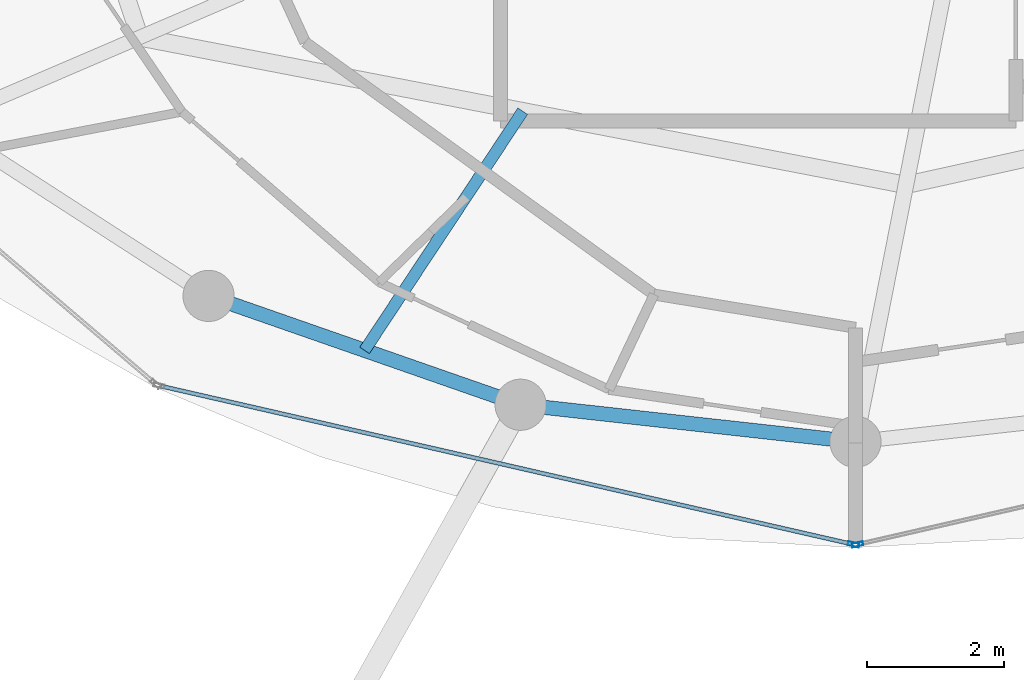
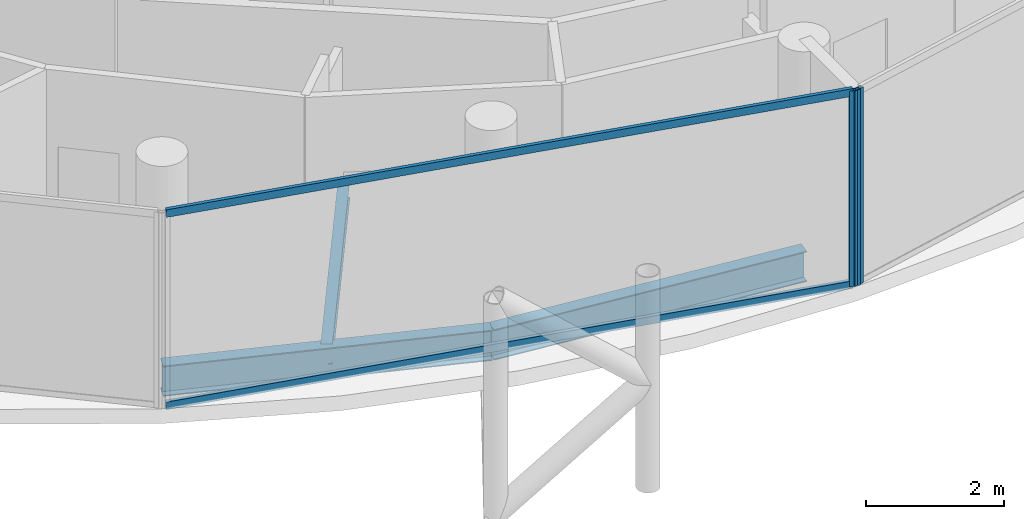
# One storey, part 4 of 24: 4 members, 3 beams, 2 elements without a shape of their own.
"""IFC4 building model written with IfcOpenShell, lengths in metres."""

from ifc_helpers import new_model, si_unit, direction, frame, origin, origin_2d, place, context, subcontext, project, spatial, hollow_rectangle, i_section, extrude, material, layer, layer_set, material_profile, profile_set, type_object, element, aggregate, save


model = new_model("IFC4")

# Units and contexts
model_context = context("Model", 3, precision=1e-05, world=origin(), true_north=direction((0.0, 1.0)))
body_context = subcontext(model_context, "Body", "Model", "MODEL_VIEW")
ifc_project = project(units=[si_unit("LENGTHUNIT", "METRE"), si_unit("AREAUNIT", "SQUARE_METRE"), si_unit("VOLUMEUNIT", "CUBIC_METRE"), si_unit("PLANEANGLEUNIT", "RADIAN"), si_unit("MASSUNIT", "GRAM", prefix="KILO")], contexts=[model_context])

# Site, building, storey
site_placement = place(None, origin())
site = spatial("IfcSite", under=ifc_project, at=site_placement, CompositionType="ELEMENT")
building_placement = place(site_placement, origin())
building = spatial("IfcBuilding", under=site, at=building_placement, Name="Nuhasar Tower", CompositionType="ELEMENT")
storey_placement = place(building_placement, frame((0.0, 0.0, 297.39990234375)))
storey = spatial("IfcBuildingStorey", under=building, at=storey_placement, Name="L74", CompositionType="ELEMENT", Elevation=297.39990234375)

# Beams
ifc_material_1 = material(Name="Steel S355", Category="steel")
ifc_material_profile_1 = material_profile(ifc_material_1, i_section(OverallWidth=0.1708984375, OverallDepth=0.35205078125, WebThickness=0.0068359375, FlangeThickness=0.009765625, at=origin_2d()), Name="W14X30")
ifc_profile_set_1 = profile_set([ifc_material_profile_1], Name="Steel S355")
beam_type_1 = type_object("IfcBeamType", Name="BM-JST-W14X30", PredefinedType="JOIST", material=ifc_profile_set_1)
beam_1_placement = place(storey_placement, frame((34.126953125, 15.693115234375, -0.435791015625), z_axis=(-0.551638003526, -0.834083636733, 0.0), x_axis=(0.834083636733, -0.551638003526, 0.0)))
element("IfcBeam", 1, at=beam_1_placement, inside=storey, type_object=beam_type_1, Name="L74 Secondary Floor Joist 01", PredefinedType="JOIST", context=body_context, shape_type="SweptSolid", body=[
    extrude(i_section(OverallWidth=0.1708984375, OverallDepth=0.35205078125, WebThickness=0.0068359375, FlangeThickness=0.009765625, at=origin_2d()), origin(), (0.0, 0.0, 1.0), 4.199951171875),
])
ifc_material_profile_2 = material_profile(ifc_material_1, i_section(OverallWidth=0.2099609375, OverallDepth=0.537109375, WebThickness=0.010986328125, FlangeThickness=0.017333984375, at=origin_2d()), Name="W21X68")
ifc_profile_set_2 = profile_set([ifc_material_profile_2], Name="Steel S355")
beam_type_2 = type_object("IfcBeamType", Name="BM-RING-W21X68", PredefinedType="SPANDREL", material=ifc_profile_set_2)
beam_2_placement = place(storey_placement, frame((29.52490234375, 12.987060546875, -0.52880859375), z_axis=(0.944214043504, -0.329332415729, 0.0), x_axis=(0.329332415729, 0.944214043504, 0.0)))
element("IfcBeam", 2, at=beam_2_placement, inside=storey, type_object=beam_type_2, Name="L74 Perimeter Ring Spandrel 17", PredefinedType="SPANDREL", context=body_context, shape_type="SweptSolid", body=[
    extrude(i_section(OverallWidth=0.2099609375, OverallDepth=0.537109375, WebThickness=0.010986328125, FlangeThickness=0.017333984375, at=origin_2d()), origin(), (0.0, 0.0, 1.0), 4.840087890625),
])
beam_3_placement = place(storey_placement, frame((34.094970703125, 11.39306640625, -0.52880859375), z_axis=(0.99392889943, -0.110024283128, 0.0), x_axis=(0.110024283128, 0.99392889943, 0.0)))
element("IfcBeam", 3, at=beam_3_placement, inside=storey, type_object=beam_type_2, Name="L74 Perimeter Ring Spandrel 18", PredefinedType="SPANDREL", context=body_context, shape_type="SweptSolid", body=[
    extrude(i_section(OverallWidth=0.2099609375, OverallDepth=0.537109375, WebThickness=0.010986328125, FlangeThickness=0.017333984375, at=origin_2d()), origin(), (0.0, 0.0, 1.0), 4.93505859375),
])

# Curtain wall, member
ifc_material_2 = material(Name="Aluminium 6063-T6", Category="aluminium")
ifc_layer = layer(ifc_material_2, 0.18994140625)
ifc_layer_set = layer_set([ifc_layer], Name="Aluminium 6063-T6")
curtain_wall_type = type_object("IfcCurtainWallType", Name="CW-Z4-PEN", PredefinedType="NOTDEFINED", material=ifc_layer_set)
curtain_wall_1_placement = place(storey_placement, origin())
curtain_wall_1 = element("IfcCurtainWall", 4, at=curtain_wall_1_placement, inside=storey, type_object=curtain_wall_type, Name="L74 Unitised Curtain Wall 09", PredefinedType="NOTDEFINED")
ifc_material_profile_3 = material_profile(ifc_material_2, hollow_rectangle(XDim=0.06005859375, YDim=0.1650390625, WallThickness=0.0048828125, at=origin_2d()), Name="CWM-5")
ifc_profile_set_3 = profile_set([ifc_material_profile_3], Name="Aluminium 6063-T6")
member_type_1 = type_object("IfcMemberType", Name="CW-MUL-S5", PredefinedType="MULLION", material=ifc_profile_set_3)
member_1_placement = place(storey_placement, frame((38.970703125, 9.3466796875, 0.0), z_axis=(0.0, 0.0, 1.0), x_axis=(0.222889487645, 0.97484371891, 0.0)))
member_1 = element("IfcMember", 5, at=member_1_placement, type_object=member_type_1, Name="CW-Z4 mullion 2", PredefinedType="MULLION", context=body_context, shape_type="SweptSolid", body=[
    extrude(hollow_rectangle(XDim=0.06005859375, YDim=0.1650390625, WallThickness=0.0048828125, at=origin_2d()), origin(), (0.0, 0.0, 1.0), 3.4501953125),
])

curtain_wall_2_placement = place(storey_placement, origin())
curtain_wall_2 = element("IfcCurtainWall", 6, at=curtain_wall_2_placement, inside=storey, type_object=curtain_wall_type, Name="L74 Unitised Curtain Wall 10", PredefinedType="NOTDEFINED")
member_2_placement = place(storey_placement, frame((39.029296875, 9.3466796875, 0.0), z_axis=(0.0, 0.0, 1.0), x_axis=(-0.222889487645, 0.97484371891, 0.0)))
member_2 = element("IfcMember", 7, at=member_2_placement, type_object=member_type_1, Name="CW-Z4 mullion 1", PredefinedType="MULLION", context=body_context, shape_type="SweptSolid", body=[
    extrude(hollow_rectangle(XDim=0.06005859375, YDim=0.1650390625, WallThickness=0.0048828125, at=origin_2d()), origin(), (0.0, 0.0, 1.0), 3.4501953125),
])
aggregate(curtain_wall_2, [member_2])

# Member
ifc_material_profile_4 = material_profile(ifc_material_2, hollow_rectangle(XDim=0.06005859375, YDim=0.135009765625, WallThickness=0.00439453125, at=origin_2d()), Name="CWT-5")
ifc_profile_set_4 = profile_set([ifc_material_profile_4], Name="Aluminium 6063-T6")
member_type_2 = type_object("IfcMemberType", Name="CW-TRN-S5", PredefinedType="USERDEFINED", material=ifc_profile_set_4)
member_3_placement = place(storey_placement, frame((28.828369140625, 11.66552734375, 0.030029296875), z_axis=(0.974843752401, -0.222889341163, 0.0), x_axis=(0.222889341163, 0.974843752401, 0.0)))
member_3 = element("IfcMember", 8, at=member_3_placement, type_object=member_type_2, Name="CW-Z4 transom 1.1", ObjectType="TRANSOM", PredefinedType="USERDEFINED", context=body_context, shape_type="SweptSolid", body=[
    extrude(hollow_rectangle(XDim=0.06005859375, YDim=0.135009765625, WallThickness=0.00439453125, at=origin_2d()), origin(), (0.0, 0.0, 1.0), 10.3740234375),
])

member_4_placement = place(storey_placement, frame((28.828369140625, 11.66552734375, 3.420166015625), z_axis=(0.974843752401, -0.222889341163, 0.0), x_axis=(0.222889341163, 0.974843752401, 0.0)))
member_4 = element("IfcMember", 9, at=member_4_placement, type_object=member_type_2, Name="CW-Z4 transom 1.2", ObjectType="TRANSOM", PredefinedType="USERDEFINED", context=body_context, shape_type="SweptSolid", body=[
    extrude(hollow_rectangle(XDim=0.06005859375, YDim=0.135009765625, WallThickness=0.00439453125, at=origin_2d()), origin(), (0.0, 0.0, 1.0), 10.3740234375),
])

aggregate(curtain_wall_1, [member_1, member_3, member_4])

save(model, "model.ifc")
